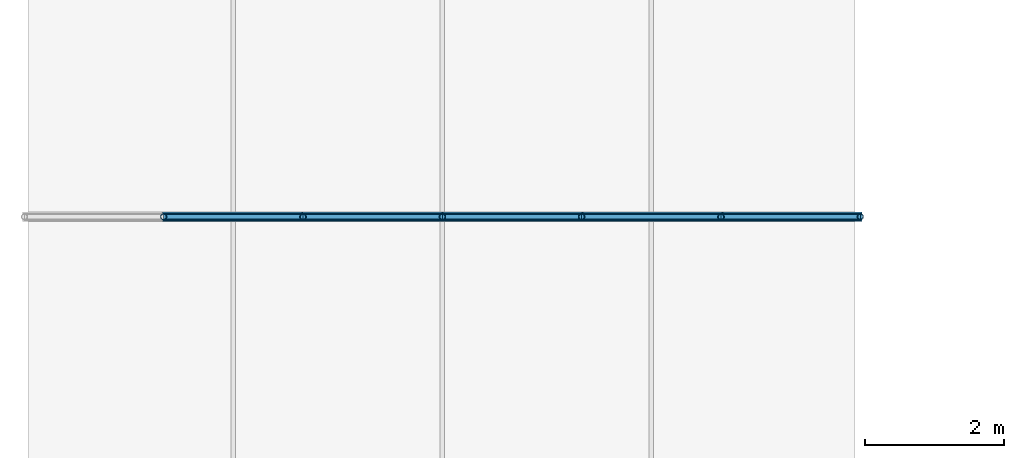
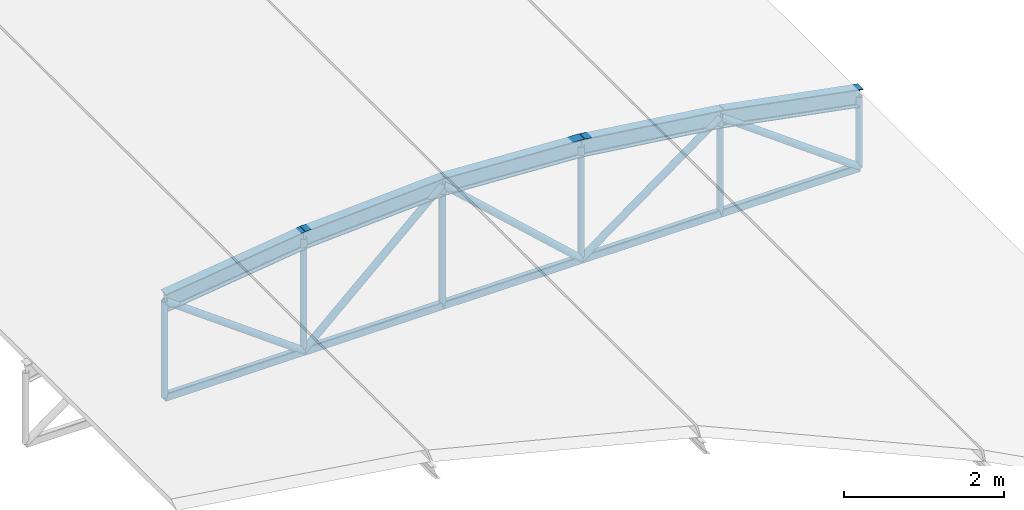
# One storey, part 31 of 54: 21 members.
"""IFC4 building model written with IfcOpenShell, lengths in metres."""

from ifc_helpers import new_model, si_unit, derived_unit, direction, frame, origin, origin_2d, place, context, subcontext, project, spatial, hollow_rectangle, hollow_circle, i_section, extrude, material, material_profile, profile_set, type_object, element, save


model = new_model("IFC4")

# Units and contexts
model_context = context("Model", 3, precision=1e-05, world=origin(), true_north=direction((0.0, 1.0)))
body_context = subcontext(model_context, "Body", "Model", "MODEL_VIEW")
ifc_project = project(units=[si_unit("LENGTHUNIT", "METRE"), si_unit("AREAUNIT", "SQUARE_METRE"), si_unit("VOLUMEUNIT", "CUBIC_METRE"), si_unit("PLANEANGLEUNIT", "RADIAN"), si_unit("MASSUNIT", "GRAM", prefix="KILO"), derived_unit("THERMALTRANSMITTANCEUNIT", [(si_unit("POWERUNIT", "WATT"), 1), (si_unit("LENGTHUNIT", "METRE"), -2), (si_unit("THERMODYNAMICTEMPERATUREUNIT", "KELVIN"), -1)])], contexts=[model_context])

# Site, building, storey
site_placement = place(None, origin())
site = spatial("IfcSite", under=ifc_project, at=site_placement, CompositionType="ELEMENT")
building_placement = place(site_placement, origin())
building = spatial("IfcBuilding", under=site, at=building_placement, Name="Keldorne Ridge Multi-Sports Centre", CompositionType="ELEMENT")
storey_placement = place(building_placement, frame((0.0, 0.0, 22.199951171875)))
storey = spatial("IfcBuildingStorey", under=building, at=storey_placement, Name="ROOF", CompositionType="ELEMENT", Elevation=22.199951171875)

# Members
ifc_material = material(Name="Steel S355", Category="steel")
ifc_material_profile_1 = material_profile(ifc_material, i_section(OverallWidth=0.135009765625, OverallDepth=0.27001953125, WebThickness=0.006591796875, FlangeThickness=0.01025390625, FilletRadius=0.014892578125, at=origin_2d()), Name="IPE 270")
ifc_profile_set_1 = profile_set([ifc_material_profile_1], Name="Steel S355")
member_type_1 = type_object("IfcMemberType", Name="MEM-RF-02", PredefinedType="RAFTER", material=ifc_profile_set_1)
member_1_placement = place(storey_placement, frame((86.0, 66.0, -12.260009765625), z_axis=(0.991654998325, 0.0, 0.128919991848), x_axis=(0.0, 1.0, 0.0)))
element("IfcMember", 1, at=member_1_placement, inside=storey, type_object=member_type_1, Name="Public Passage bowstring arch top chord 08.2", PredefinedType="RAFTER", context=body_context, shape_type="SweptSolid", body=[
    extrude(i_section(OverallWidth=0.135009765625, OverallDepth=0.27001953125, WebThickness=0.006591796875, FlangeThickness=0.01025390625, FilletRadius=0.014892578125, at=origin_2d()), origin(), (0.0, 0.0, 1.0), 2.016845703125),
])
for number, where, z_axis, x_axis, name in (
    (2, (88.0, 66.0, -12.0), (0.998487980686, 0.0, 0.054970468663), (0.0, 1.0, 0.0), "Public Passage bowstring arch top chord 08.3"),
    (3, (90.0, 66.0, -11.889892578125), (0.998487980686, 0.0, -0.054970468663), (0.0, 1.0, 0.0), "Public Passage bowstring arch top chord 08.4"),
):
    element("IfcMember", number, at=place(storey_placement, frame(where, z_axis=z_axis, x_axis=x_axis)), inside=storey, type_object=member_type_1, Name=name, PredefinedType="RAFTER", context=body_context, shape_type="SweptSolid", body=[
        extrude(i_section(OverallWidth=0.135009765625, OverallDepth=0.27001953125, WebThickness=0.006591796875, FlangeThickness=0.01025390625, FilletRadius=0.014892578125, at=origin_2d()), origin(), (0.0, 0.0, 1.0), 2.0029296875),
    ])
member_2_placement = place(storey_placement, frame((92.0, 66.0, -12.0), z_axis=(0.991654998325, 0.0, -0.128919991848), x_axis=(0.0, 1.0, 0.0)))
element("IfcMember", 4, at=member_2_placement, inside=storey, type_object=member_type_1, Name="Public Passage bowstring arch top chord 08.5", PredefinedType="RAFTER", context=body_context, shape_type="SweptSolid", body=[
    extrude(i_section(OverallWidth=0.135009765625, OverallDepth=0.27001953125, WebThickness=0.006591796875, FlangeThickness=0.01025390625, FilletRadius=0.014892578125, at=origin_2d()), origin(), (0.0, 0.0, 1.0), 2.016845703125),
])
member_3_placement = place(storey_placement, frame((94.0, 66.0, -12.260009765625), z_axis=(0.982435006317, 0.0, -0.186605086649), x_axis=(0.0, 1.0, 0.0)))
element("IfcMember", 5, at=member_3_placement, inside=storey, type_object=member_type_1, Name="Public Passage bowstring arch top chord 08.6", PredefinedType="RAFTER", context=body_context, shape_type="SweptSolid", body=[
    extrude(i_section(OverallWidth=0.135009765625, OverallDepth=0.27001953125, WebThickness=0.006591796875, FlangeThickness=0.01025390625, FilletRadius=0.014892578125, at=origin_2d()), origin(), (0.0, 0.0, 1.0), 2.03564453125),
])
ifc_material_profile_2 = material_profile(ifc_material, hollow_rectangle(XDim=0.080078125, YDim=0.1201171875, WallThickness=0.008056640625, InnerFilletRadius=0.008056640625, OuterFilletRadius=0.01611328125, at=origin_2d()), Name="RHS 120x80x8")
ifc_profile_set_2 = profile_set([ifc_material_profile_2], Name="Steel S355")
member_type_2 = type_object("IfcMemberType", Name="MEM-TC-07", PredefinedType="CHORD", material=ifc_profile_set_2)
for number, where, z_axis, x_axis, name in (
    (6, (86.0, 66.0, -13.719970703125), (1.0, 0.0, 0.0), (0.0, 1.0, 0.0), "Public Passage bowstring tie chord 08.2"),
    (7, (88.0, 66.0, -13.719970703125), (1.0, 0.0, 0.0), (0.0, 1.0, 0.0), "Public Passage bowstring tie chord 08.3"),
    (8, (90.0, 66.0, -13.719970703125), (1.0, 0.0, 0.0), (0.0, 1.0, 0.0), "Public Passage bowstring tie chord 08.4"),
    (9, (92.0, 66.0, -13.719970703125), (1.0, 0.0, 0.0), (0.0, 1.0, 0.0), "Public Passage bowstring tie chord 08.5"),
    (10, (94.0, 66.0, -13.719970703125), (1.0, 0.0, 0.0), (0.0, 1.0, 0.0), "Public Passage bowstring tie chord 08.6"),
):
    element("IfcMember", number, at=place(storey_placement, frame(where, z_axis=z_axis, x_axis=x_axis)), inside=storey, type_object=member_type_2, Name=name, PredefinedType="CHORD", context=body_context, shape_type="SweptSolid", body=[
        extrude(hollow_rectangle(XDim=0.080078125, YDim=0.1201171875, WallThickness=0.008056640625, InnerFilletRadius=0.008056640625, OuterFilletRadius=0.01611328125, at=origin_2d()), origin(), (0.0, 0.0, 1.0), 2.0),
    ])
ifc_material_profile_3 = material_profile(ifc_material, hollow_circle(Radius=0.05078125, WallThickness=0.00634765625, at=origin_2d()), Name="CHS 101.6x6.3")
ifc_profile_set_3 = profile_set([ifc_material_profile_3], Name="Steel S355")
member_type_3 = type_object("IfcMemberType", Name="MEM-TD-05", PredefinedType="BRACE", material=ifc_profile_set_3)
member_4_placement = place(storey_placement, frame((86.0, 66.0, -12.260009765625), z_axis=(0.8076945033, 0.0, -0.589601212125), x_axis=(0.0, 1.0, 0.0)))
element("IfcMember", 11, at=member_4_placement, inside=storey, type_object=member_type_3, Name="Public Passage bowstring web diagonal 08.2", PredefinedType="BRACE", context=body_context, shape_type="SweptSolid", body=[
    extrude(hollow_circle(Radius=0.05078125, WallThickness=0.00634765625, at=origin_2d()), origin(), (0.0, 0.0, 1.0), 2.47607421875),
])
for number, where, z_axis, x_axis, name in (
    (12, (88.0, 66.0, -13.719970703125), (0.737751969913, 0.0, 0.675071870907), (0.0, 1.0, 0.0), "Public Passage bowstring web diagonal 08.3"),
    (13, (90.0, 66.0, -11.889892578125), (0.737751969913, 0.0, -0.675071870907), (0.0, 1.0, 0.0), "Public Passage bowstring web diagonal 08.4"),
):
    element("IfcMember", number, at=place(storey_placement, frame(where, z_axis=z_axis, x_axis=x_axis)), inside=storey, type_object=member_type_3, Name=name, PredefinedType="BRACE", context=body_context, shape_type="SweptSolid", body=[
        extrude(hollow_circle(Radius=0.05078125, WallThickness=0.00634765625, at=origin_2d()), origin(), (0.0, 0.0, 1.0), 2.7109375),
    ])
for number, where, z_axis, x_axis, name in (
    (14, (92.0, 66.0, -13.719970703125), (0.8076945033, 0.0, 0.589601212125), (0.0, 1.0, 0.0), "Public Passage bowstring web diagonal 08.5"),
    (15, (94.0, 66.0, -12.260009765625), (0.8076945033, 0.0, -0.589601212125), (0.0, 1.0, 0.0), "Public Passage bowstring web diagonal 08.6"),
):
    element("IfcMember", number, at=place(storey_placement, frame(where, z_axis=z_axis, x_axis=x_axis)), inside=storey, type_object=member_type_3, Name=name, PredefinedType="BRACE", context=body_context, shape_type="SweptSolid", body=[
        extrude(hollow_circle(Radius=0.05078125, WallThickness=0.00634765625, at=origin_2d()), origin(), (0.0, 0.0, 1.0), 2.47607421875),
    ])
ifc_material_profile_4 = material_profile(ifc_material, hollow_circle(Radius=0.04443359375, WallThickness=0.0048828125, at=origin_2d()), Name="CHS 88.9x5")
ifc_profile_set_4 = profile_set([ifc_material_profile_4], Name="Steel S355")
member_type_4 = type_object("IfcMemberType", Name="MEM-TV-07", PredefinedType="STRUT", material=ifc_profile_set_4)
member_5_placement = place(storey_placement, frame((86.0, 66.0, -13.719970703125), z_axis=(0.0, 0.0, 1.0), x_axis=(1.0, 0.0, 0.0)))
element("IfcMember", 16, at=member_5_placement, inside=storey, type_object=member_type_4, Name="Public Passage bowstring hanger 08.2", PredefinedType="STRUT", context=body_context, shape_type="SweptSolid", body=[
    extrude(hollow_circle(Radius=0.04443359375, WallThickness=0.0048828125, at=origin_2d()), origin(), (0.0, 0.0, 1.0), 1.4599609375),
])
member_6_placement = place(storey_placement, frame((88.0, 66.0, -13.719970703125), z_axis=(0.0, 0.0, 1.0), x_axis=(1.0, 0.0, 0.0)))
element("IfcMember", 17, at=member_6_placement, inside=storey, type_object=member_type_4, Name="Public Passage bowstring hanger 08.3", PredefinedType="STRUT", context=body_context, shape_type="SweptSolid", body=[
    extrude(hollow_circle(Radius=0.04443359375, WallThickness=0.0048828125, at=origin_2d()), origin(), (0.0, 0.0, 1.0), 1.719970703125),
])
member_7_placement = place(storey_placement, frame((90.0, 66.0, -13.719970703125), z_axis=(0.0, 0.0, 1.0), x_axis=(1.0, 0.0, 0.0)))
element("IfcMember", 18, at=member_7_placement, inside=storey, type_object=member_type_4, Name="Public Passage bowstring hanger 08.4", PredefinedType="STRUT", context=body_context, shape_type="SweptSolid", body=[
    extrude(hollow_circle(Radius=0.04443359375, WallThickness=0.0048828125, at=origin_2d()), origin(), (0.0, 0.0, 1.0), 1.830078125),
])
member_8_placement = place(storey_placement, frame((92.0, 66.0, -13.719970703125), z_axis=(0.0, 0.0, 1.0), x_axis=(1.0, 0.0, 0.0)))
element("IfcMember", 19, at=member_8_placement, inside=storey, type_object=member_type_4, Name="Public Passage bowstring hanger 08.5", PredefinedType="STRUT", context=body_context, shape_type="SweptSolid", body=[
    extrude(hollow_circle(Radius=0.04443359375, WallThickness=0.0048828125, at=origin_2d()), origin(), (0.0, 0.0, 1.0), 1.719970703125),
])
member_9_placement = place(storey_placement, frame((94.0, 66.0, -13.719970703125), z_axis=(0.0, 0.0, 1.0), x_axis=(1.0, 0.0, 0.0)))
element("IfcMember", 20, at=member_9_placement, inside=storey, type_object=member_type_4, Name="Public Passage bowstring hanger 08.6", PredefinedType="STRUT", context=body_context, shape_type="SweptSolid", body=[
    extrude(hollow_circle(Radius=0.04443359375, WallThickness=0.0048828125, at=origin_2d()), origin(), (0.0, 0.0, 1.0), 1.4599609375),
])
member_10_placement = place(storey_placement, frame((96.0, 66.0, -13.719970703125), z_axis=(0.0, 0.0, 1.0), x_axis=(1.0, 0.0, 0.0)))
element("IfcMember", 21, at=member_10_placement, inside=storey, type_object=member_type_4, Name="Public Passage bowstring hanger 08.7", PredefinedType="STRUT", context=body_context, shape_type="SweptSolid", body=[
    extrude(hollow_circle(Radius=0.04443359375, WallThickness=0.0048828125, at=origin_2d()), origin(), (0.0, 0.0, 1.0), 1.080078125),
])

save(model, "model.ifc")
